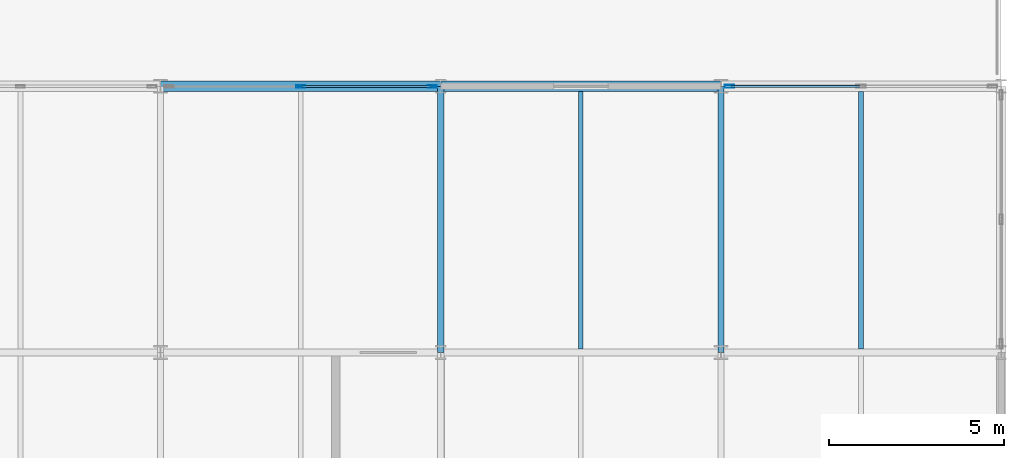
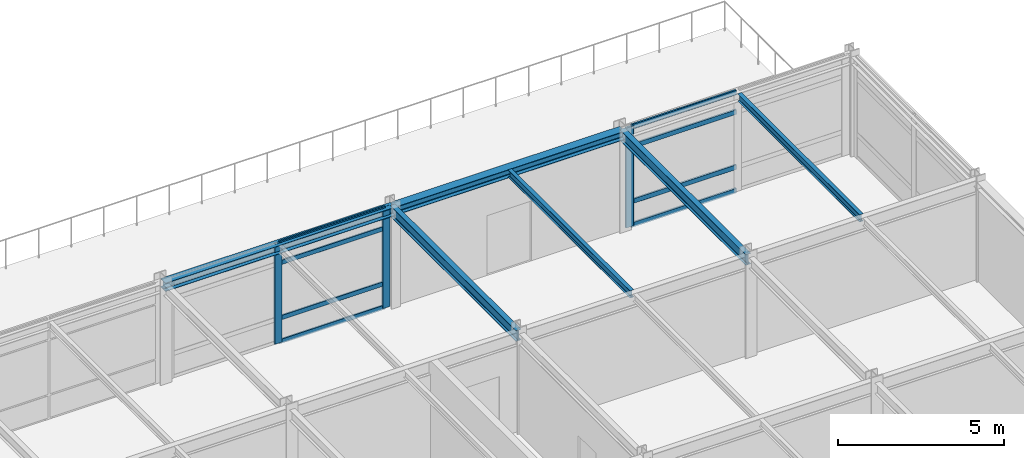
# One storey, part 10 of 17: 11 members, 6 beams, 2 elements without a shape of their own.
"""IFC4 building model written with IfcOpenShell, lengths in metres."""

from ifc_helpers import new_model, si_unit, direction, frame, origin, origin_2d, place, context, subcontext, project, spatial, hollow_rectangle, i_section, extrude, material, layer, layer_set, material_profile, profile_set, type_object, element, aggregate, save


model = new_model("IFC4")

# Units and contexts
model_context = context("Model", 3, precision=1e-05, world=origin(), true_north=direction((0.0, 1.0)))
body_context = subcontext(model_context, "Body", "Model", "MODEL_VIEW")
ifc_project = project(units=[si_unit("LENGTHUNIT", "METRE"), si_unit("AREAUNIT", "SQUARE_METRE"), si_unit("VOLUMEUNIT", "CUBIC_METRE"), si_unit("PLANEANGLEUNIT", "RADIAN"), si_unit("MASSUNIT", "GRAM", prefix="KILO")], contexts=[model_context])

# Site, building, storey
site_placement = place(None, origin())
site = spatial("IfcSite", under=ifc_project, at=site_placement, CompositionType="ELEMENT")
building_placement = place(site_placement, origin())
building = spatial("IfcBuilding", under=site, at=building_placement, Name="Shalkamar Park Central Library", CompositionType="ELEMENT")
storey_placement = place(building_placement, frame((0.0, 0.0, 36.0)))
storey = spatial("IfcBuildingStorey", under=building, at=storey_placement, Name="L09", CompositionType="ELEMENT", Elevation=36.0)

# Beams
ifc_material_1 = material(Name="Steel S355", Category="steel")
ifc_material_profile_1 = material_profile(ifc_material_1, i_section(OverallWidth=0.135009765625, OverallDepth=0.27001953125, WebThickness=0.006591796875, FlangeThickness=0.01025390625, FilletRadius=0.014892578125, at=origin_2d()), Name="IPE 270")
ifc_profile_set_1 = profile_set([ifc_material_profile_1], Name="Steel S355")
beam_type_1 = type_object("IfcBeamType", Name="Composite Floor Joist IPE270", PredefinedType="JOIST", material=ifc_profile_set_1)
for number, where, z_axis, x_axis, name in (
    (1, (209.0, 278.097900390625, 3.544921875), (0.0, 1.0, 0.0), (-1.0, 0.0, 0.0), "Composite Joist 12/F-1 (L09)"),
    (2, (217.0, 278.097900390625, 3.544921875), (0.0, 1.0, 0.0), (-1.0, 0.0, 0.0), "Composite Joist 13/F-1 (L09)"),
):
    element("IfcBeam", number, at=place(storey_placement, frame(where, z_axis=z_axis, x_axis=x_axis)), inside=storey, type_object=beam_type_1, Name=name, PredefinedType="JOIST", context=body_context, shape_type="SweptSolid", body=[
        extrude(i_section(OverallWidth=0.135009765625, OverallDepth=0.27001953125, WebThickness=0.006591796875, FlangeThickness=0.01025390625, FilletRadius=0.014892578125, at=origin_2d()), origin(), (0.0, 0.0, 1.0), 7.35400390625),
    ])

# Curtain wall, members
ifc_material_2 = material(Name="Thermally broken aluminium and triple low-e curtain wall", Category="aluminium")
ifc_layer_1 = layer(ifc_material_2, 0.260009765625)
ifc_layer_set_1 = layer_set([ifc_layer_1], Name="UnitisedCurtainWall_80")
curtain_wall_type_1 = type_object("IfcCurtainWallType", Name="Unitised Curtain Wall 80", PredefinedType="USERDEFINED", material=ifc_layer_set_1)
curtain_wall_1_placement = place(storey_placement, origin())
curtain_wall_1 = element("IfcCurtainWall", 3, at=curtain_wall_1_placement, inside=storey, type_object=curtain_wall_type_1, Name="Unitised Curtain Wall CW-L09-115", ObjectType="UNITISED CURTAIN WALL", PredefinedType="USERDEFINED")
ifc_material_3 = material(Name="Aluminium 6060-T66", Category="aluminium")
ifc_material_profile_2 = material_profile(ifc_material_3, hollow_rectangle(XDim=0.074951171875, YDim=0.260009765625, WallThickness=0.00439453125, InnerFilletRadius=0.00439453125, OuterFilletRadius=0.0068359375, at=origin_2d()), Name="ALU 75x260x4.5")
ifc_profile_set_2 = profile_set([ifc_material_profile_2], Name="Aluminium 6060-T66")
member_type_1 = type_object("IfcMemberType", Name="Curtain Wall Mullion ALU75x260", PredefinedType="MULLION", material=ifc_profile_set_2)
member_1_placement = place(storey_placement, frame((201.000732421875, 285.60009765625, 0.0), z_axis=(0.0, 0.0, 1.0), x_axis=(0.0, 1.0, 0.0)))
member_1 = element("IfcMember", 4, at=member_1_placement, type_object=member_type_1, Name="CW-80 mullion 2", PredefinedType="MULLION", context=body_context, shape_type="SweptSolid", body=[
    extrude(hollow_rectangle(XDim=0.074951171875, YDim=0.260009765625, WallThickness=0.00439453125, InnerFilletRadius=0.00439453125, OuterFilletRadius=0.0068359375, at=origin_2d()), origin(), (0.0, 0.0, 1.0), 3.679931640625),
])
member_2_placement = place(storey_placement, frame((204.760986328125, 285.60009765625, 0.0), z_axis=(0.0, 0.0, 1.0), x_axis=(0.0, 1.0, 0.0)))
member_2 = element("IfcMember", 5, at=member_2_placement, type_object=member_type_1, Name="CW-80 mullion 3", PredefinedType="MULLION", context=body_context, shape_type="SweptSolid", body=[
    extrude(hollow_rectangle(XDim=0.074951171875, YDim=0.260009765625, WallThickness=0.00439453125, InnerFilletRadius=0.00439453125, OuterFilletRadius=0.0068359375, at=origin_2d()), origin(), (0.0, 0.0, 1.0), 3.679931640625),
])

# Curtain wall, member
ifc_layer_2 = layer(ifc_material_2, 0.27001953125)
ifc_layer_set_2 = layer_set([ifc_layer_2], Name="UnitisedCurtainWall_76")
curtain_wall_type_2 = type_object("IfcCurtainWallType", Name="Unitised Curtain Wall 76", PredefinedType="USERDEFINED", material=ifc_layer_set_2)
curtain_wall_2_placement = place(storey_placement, origin())
curtain_wall_2 = element("IfcCurtainWall", 6, at=curtain_wall_2_placement, inside=storey, type_object=curtain_wall_type_2, Name="Unitised Curtain Wall CW-L09-116", ObjectType="UNITISED CURTAIN WALL", PredefinedType="USERDEFINED")
ifc_material_profile_3 = material_profile(ifc_material_3, hollow_rectangle(XDim=0.080078125, YDim=0.27001953125, WallThickness=0.0048828125, InnerFilletRadius=0.0048828125, OuterFilletRadius=0.007568359375, at=origin_2d()), Name="ALU 80x270x5")
ifc_profile_set_3 = profile_set([ifc_material_profile_3], Name="Aluminium 6060-T66")
member_type_2 = type_object("IfcMemberType", Name="Curtain Wall Mullion ALU80x270", PredefinedType="MULLION", material=ifc_profile_set_3)
member_3_placement = place(storey_placement, frame((213.242919921875, 285.60009765625, 0.0), z_axis=(0.0, 0.0, 1.0), x_axis=(0.0, 1.0, 0.0)))
member_3 = element("IfcMember", 7, at=member_3_placement, type_object=member_type_2, Name="CW-76 mullion 1", PredefinedType="MULLION", context=body_context, shape_type="SweptSolid", body=[
    extrude(hollow_rectangle(XDim=0.080078125, YDim=0.27001953125, WallThickness=0.0048828125, InnerFilletRadius=0.0048828125, OuterFilletRadius=0.007568359375, at=origin_2d()), origin(), (0.0, 0.0, 1.0), 3.679931640625),
])

# Member
ifc_material_profile_4 = material_profile(ifc_material_3, hollow_rectangle(XDim=0.06005859375, YDim=0.1650390625, WallThickness=0.00390625, InnerFilletRadius=0.00390625, OuterFilletRadius=0.006103515625, at=origin_2d()), Name="ALU 60x165x4")
ifc_profile_set_4 = profile_set([ifc_material_profile_4], Name="Aluminium 6060-T66")
member_type_3 = type_object("IfcMemberType", Name="Curtain Wall Transom ALU60x165", PredefinedType="USERDEFINED", material=ifc_profile_set_4)
member_4_placement = place(storey_placement, frame((201.038330078125, 285.60009765625, 0.030029296875), z_axis=(1.0, 0.0, 0.0), x_axis=(0.0, 1.0, 0.0)))
member_4 = element("IfcMember", 8, at=member_4_placement, type_object=member_type_3, Name="CW-80 transom 2.1", ObjectType="TRANSOM", PredefinedType="USERDEFINED", context=body_context, shape_type="SweptSolid", body=[
    extrude(hollow_rectangle(XDim=0.06005859375, YDim=0.1650390625, WallThickness=0.00390625, InnerFilletRadius=0.00390625, OuterFilletRadius=0.006103515625, at=origin_2d()), origin(), (0.0, 0.0, 1.0), 3.68505859375),
])

member_5_placement = place(storey_placement, frame((201.038330078125, 285.60009765625, 0.89990234375), z_axis=(1.0, 0.0, 0.0), x_axis=(0.0, 1.0, 0.0)))
member_5 = element("IfcMember", 9, at=member_5_placement, type_object=member_type_3, Name="CW-80 transom 2.2", ObjectType="TRANSOM", PredefinedType="USERDEFINED", context=body_context, shape_type="SweptSolid", body=[
    extrude(hollow_rectangle(XDim=0.06005859375, YDim=0.1650390625, WallThickness=0.00390625, InnerFilletRadius=0.00390625, OuterFilletRadius=0.006103515625, at=origin_2d()), origin(), (0.0, 0.0, 1.0), 3.68505859375),
])

member_6_placement = place(storey_placement, frame((201.038330078125, 285.60009765625, 2.929931640625), z_axis=(1.0, 0.0, 0.0), x_axis=(0.0, 1.0, 0.0)))
member_6 = element("IfcMember", 10, at=member_6_placement, type_object=member_type_3, Name="CW-80 transom 2.3", ObjectType="TRANSOM", PredefinedType="USERDEFINED", context=body_context, shape_type="SweptSolid", body=[
    extrude(hollow_rectangle(XDim=0.06005859375, YDim=0.1650390625, WallThickness=0.00390625, InnerFilletRadius=0.00390625, OuterFilletRadius=0.006103515625, at=origin_2d()), origin(), (0.0, 0.0, 1.0), 3.68505859375),
])

member_7_placement = place(storey_placement, frame((201.038330078125, 285.60009765625, 3.64990234375), z_axis=(1.0, 0.0, 0.0), x_axis=(0.0, 1.0, 0.0)))
member_7 = element("IfcMember", 11, at=member_7_placement, type_object=member_type_3, Name="CW-80 transom 2.4", ObjectType="TRANSOM", PredefinedType="USERDEFINED", context=body_context, shape_type="SweptSolid", body=[
    extrude(hollow_rectangle(XDim=0.06005859375, YDim=0.1650390625, WallThickness=0.00390625, InnerFilletRadius=0.00390625, OuterFilletRadius=0.006103515625, at=origin_2d()), origin(), (0.0, 0.0, 1.0), 3.68505859375),
])

aggregate(curtain_wall_1, [member_1, member_2, member_4, member_5, member_6, member_7])

ifc_material_profile_5 = material_profile(ifc_material_3, hollow_rectangle(XDim=0.06494140625, YDim=0.175048828125, WallThickness=0.00439453125, InnerFilletRadius=0.00439453125, OuterFilletRadius=0.0068359375, at=origin_2d()), Name="ALU 65x175x4.5")
ifc_profile_set_5 = profile_set([ifc_material_profile_5], Name="Aluminium 6060-T66")
member_type_4 = type_object("IfcMemberType", Name="Curtain Wall Transom ALU65x175", PredefinedType="USERDEFINED", material=ifc_profile_set_5)
member_8_placement = place(storey_placement, frame((213.282958984375, 285.60009765625, 0.032470703125), z_axis=(1.0, 0.0, 0.0), x_axis=(0.0, 1.0, 0.0)))
member_8 = element("IfcMember", 12, at=member_8_placement, type_object=member_type_4, Name="CW-76 transom 1.1", ObjectType="TRANSOM", PredefinedType="USERDEFINED", context=body_context, shape_type="SweptSolid", body=[
    extrude(hollow_rectangle(XDim=0.06494140625, YDim=0.175048828125, WallThickness=0.00439453125, InnerFilletRadius=0.00439453125, OuterFilletRadius=0.0068359375, at=origin_2d()), origin(), (0.0, 0.0, 1.0), 3.677734375),
])

member_9_placement = place(storey_placement, frame((213.282958984375, 285.60009765625, 0.89990234375), z_axis=(1.0, 0.0, 0.0), x_axis=(0.0, 1.0, 0.0)))
member_9 = element("IfcMember", 13, at=member_9_placement, type_object=member_type_4, Name="CW-76 transom 1.2", ObjectType="TRANSOM", PredefinedType="USERDEFINED", context=body_context, shape_type="SweptSolid", body=[
    extrude(hollow_rectangle(XDim=0.06494140625, YDim=0.175048828125, WallThickness=0.00439453125, InnerFilletRadius=0.00439453125, OuterFilletRadius=0.0068359375, at=origin_2d()), origin(), (0.0, 0.0, 1.0), 3.677734375),
])

member_10_placement = place(storey_placement, frame((213.282958984375, 285.60009765625, 2.929931640625), z_axis=(1.0, 0.0, 0.0), x_axis=(0.0, 1.0, 0.0)))
member_10 = element("IfcMember", 14, at=member_10_placement, type_object=member_type_4, Name="CW-76 transom 1.3", ObjectType="TRANSOM", PredefinedType="USERDEFINED", context=body_context, shape_type="SweptSolid", body=[
    extrude(hollow_rectangle(XDim=0.06494140625, YDim=0.175048828125, WallThickness=0.00439453125, InnerFilletRadius=0.00439453125, OuterFilletRadius=0.0068359375, at=origin_2d()), origin(), (0.0, 0.0, 1.0), 3.677734375),
])

member_11_placement = place(storey_placement, frame((213.282958984375, 285.60009765625, 3.6474609375), z_axis=(1.0, 0.0, 0.0), x_axis=(0.0, 1.0, 0.0)))
member_11 = element("IfcMember", 15, at=member_11_placement, type_object=member_type_4, Name="CW-76 transom 1.4", ObjectType="TRANSOM", PredefinedType="USERDEFINED", context=body_context, shape_type="SweptSolid", body=[
    extrude(hollow_rectangle(XDim=0.06494140625, YDim=0.175048828125, WallThickness=0.00439453125, InnerFilletRadius=0.00439453125, OuterFilletRadius=0.0068359375, at=origin_2d()), origin(), (0.0, 0.0, 1.0), 3.677734375),
])

aggregate(curtain_wall_2, [member_3, member_8, member_9, member_10, member_11])

# Beams
ifc_material_profile_6 = material_profile(ifc_material_1, i_section(OverallWidth=0.300048828125, OverallDepth=0.31005859375, WebThickness=0.009033203125, FlangeThickness=0.015380859375, FilletRadius=0.027099609375, at=origin_2d()), Name="HEA 320")
ifc_profile_set_6 = profile_set([ifc_material_profile_6], Name="Steel S355")
beam_type_2 = type_object("IfcBeamType", Name="Perimeter Spandrel Beam HEA320", PredefinedType="SPANDREL", material=ifc_profile_set_6)
for number, where, z_axis, x_axis, name in (
    (16, (197.0, 285.60009765625, 3.52490234375), (1.0, 0.0, 0.0), (0.0, 1.0, 0.0), "Beam G:11-12 (L09)"),
    (17, (205.0, 285.60009765625, 3.52490234375), (1.0, 0.0, 0.0), (0.0, 1.0, 0.0), "Beam G:12-13 (L09)"),
):
    element("IfcBeam", number, at=place(storey_placement, frame(where, z_axis=z_axis, x_axis=x_axis)), inside=storey, type_object=beam_type_2, Name=name, PredefinedType="SPANDREL", context=body_context, shape_type="SweptSolid", body=[
        extrude(i_section(OverallWidth=0.300048828125, OverallDepth=0.31005859375, WebThickness=0.009033203125, FlangeThickness=0.015380859375, FilletRadius=0.027099609375, at=origin_2d()), origin(), (0.0, 0.0, 1.0), 8.0),
    ])
ifc_material_profile_7 = material_profile(ifc_material_1, i_section(OverallWidth=0.179931640625, OverallDepth=0.39990234375, WebThickness=0.008544921875, FlangeThickness=0.013427734375, FilletRadius=0.02099609375, at=origin_2d()), Name="IPE 400")
ifc_profile_set_7 = profile_set([ifc_material_profile_7], Name="Steel S355")
beam_type_3 = type_object("IfcBeamType", Name="Primary Girder IPE400", PredefinedType="BEAM", material=ifc_profile_set_7)
for number, where, z_axis, x_axis, name in (
    (18, (205.0, 278.0, 3.47998046875), (0.0, 1.0, 0.0), (-1.0, 0.0, 0.0), "Beam 12:F-G (L09)"),
    (19, (213.0, 278.0, 3.47998046875), (0.0, 1.0, 0.0), (-1.0, 0.0, 0.0), "Beam 13:F-G (L09)"),
):
    element("IfcBeam", number, at=place(storey_placement, frame(where, z_axis=z_axis, x_axis=x_axis)), inside=storey, type_object=beam_type_3, Name=name, PredefinedType="BEAM", context=body_context, shape_type="SweptSolid", body=[
        extrude(i_section(OverallWidth=0.179931640625, OverallDepth=0.39990234375, WebThickness=0.008544921875, FlangeThickness=0.013427734375, FilletRadius=0.02099609375, at=origin_2d()), origin(), (0.0, 0.0, 1.0), 7.60009765625),
    ])

save(model, "model.ifc")
